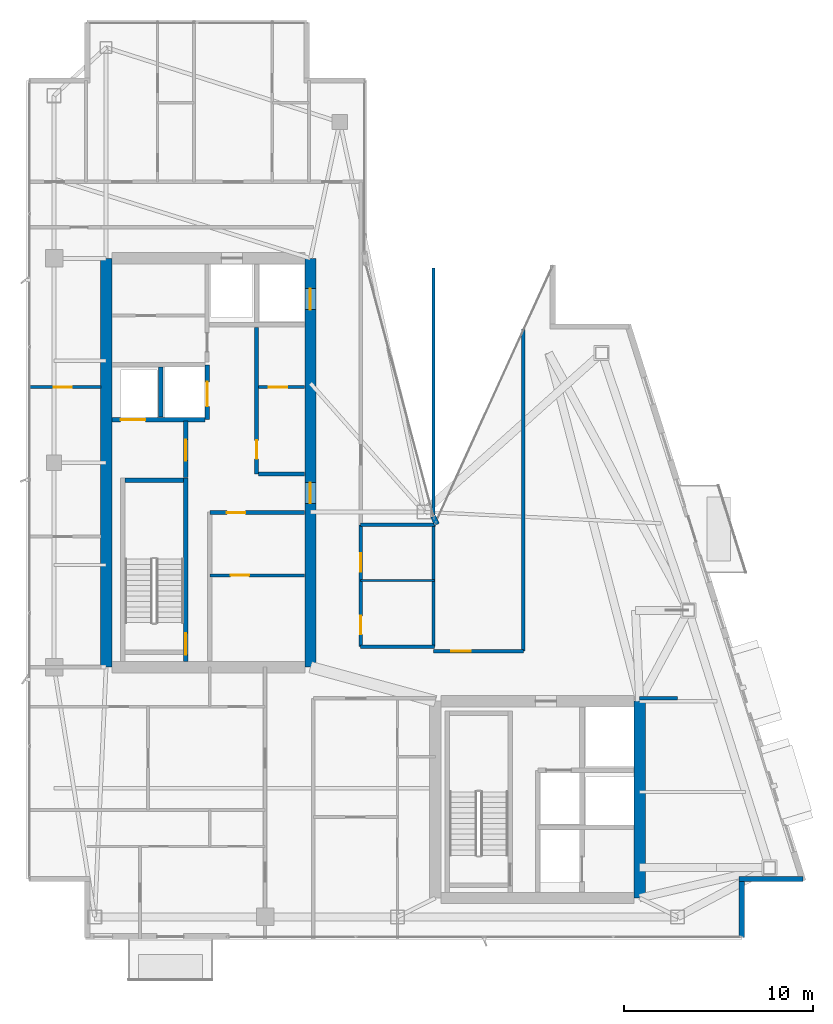
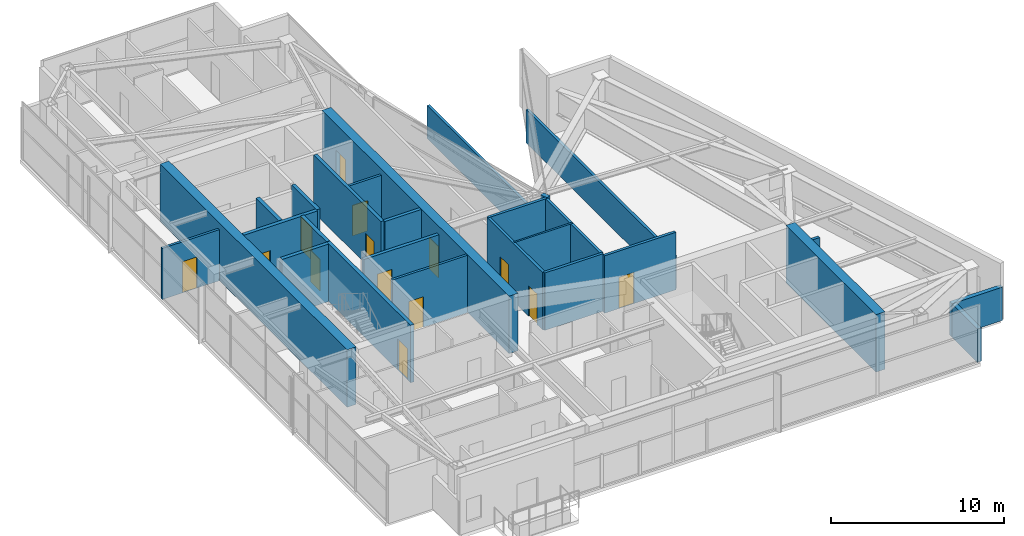
# One storey, part 22 of 26: 27 walls, 14 doors, 14 openings.
"""IFC4 building model written with IfcOpenShell, lengths in metres."""

from ifc_helpers import new_model, si_unit, direction, frame, frame_2d, origin, place, context, subcontext, project, spatial, rectangle, extrude, material, layer, layer_set, type_object, element, fill, save


model = new_model("IFC4")

# Units and contexts
model_context = context("Model", 3, precision=1e-05, world=origin(), true_north=direction((0.0, 1.0)))
body_context = subcontext(model_context, "Body", "Model", "MODEL_VIEW")
ifc_project = project(units=[si_unit("LENGTHUNIT", "METRE"), si_unit("AREAUNIT", "SQUARE_METRE"), si_unit("VOLUMEUNIT", "CUBIC_METRE"), si_unit("PLANEANGLEUNIT", "RADIAN"), si_unit("MASSUNIT", "GRAM", prefix="KILO")], contexts=[model_context])

# Site, building, storey
site_placement = place(None, origin())
site = spatial("IfcSite", under=ifc_project, at=site_placement, CompositionType="ELEMENT")
building_placement = place(site_placement, origin())
building = spatial("IfcBuilding", under=site, at=building_placement, Name="Calvorn Quay Hotel", CompositionType="ELEMENT")
storey_placement = place(building_placement, frame((0.0, 0.0, 302.5)))
storey = spatial("IfcBuildingStorey", under=building, at=storey_placement, Name="L75", CompositionType="ELEMENT", Elevation=302.5)

# Wall
ifc_material_1 = material(Name="Concrete C45", Category="concrete")
ifc_layer_1 = layer(ifc_material_1, 0.60009765625)
ifc_layer_set_1 = layer_set([ifc_layer_1], Name="WL-CORE-600")
wall_type_1 = type_object("IfcWallType", Name="WL-CORE-600", PredefinedType="SHEAR", material=ifc_layer_set_1)
wall_1_placement = place(storey_placement, frame((4.199951171875, 16.800048828125, 0.0), z_axis=(0.0, 0.0, 1.0), x_axis=(0.0, 1.0, 0.0)))
element("IfcWall", 1, at=wall_1_placement, inside=storey, type_object=wall_type_1, Name="West Core Shear Wall W (L75)", PredefinedType="SHEAR", context=body_context, shape_type="SweptSolid", body=[
    extrude(rectangle(XDim=21.599853515625, YDim=0.60009765625, at=frame_2d((10.7998046875, 0.0))), origin(), (0.0, 0.0, 1.0), 4.050048828125),
])

# Wall, openings, doors
wall_2_placement = place(storey_placement, frame((15.0, 16.800048828125, 0.0), z_axis=(0.0, 0.0, 1.0), x_axis=(0.0, 1.0, 0.0)))
wall_2 = element("IfcWall", 2, at=wall_2_placement, inside=storey, type_object=wall_type_1, Name="West Core Shear Wall E (L75)", PredefinedType="SHEAR", context=body_context, shape_type="SweptSolid", body=[
    extrude(rectangle(XDim=21.599853515625, YDim=0.60009765625, at=frame_2d((10.7998046875, 0.0))), origin(), (0.0, 0.0, 1.0), 4.050048828125),
])
opening_1_placement = place(wall_2_placement, frame((8.64990234375, 0.0, 0.0)))
opening_1 = element("IfcOpeningElement", 3, at=opening_1_placement, cuts=wall_2, Name="Opening D-L75-CW1", PredefinedType="OPENING", context=body_context, shape_type="SweptSolid", body=[
    extrude(rectangle(XDim=1.10009765625, YDim=2.199951171875, at=frame_2d((0.550048828125, 1.10009765625))), frame((0.0, 0.31005859375, 0.0), z_axis=(0.0, -1.0, 0.0), x_axis=(1.0, 0.0, 0.0)), (0.0, 0.0, 1.0), 0.6201171875),
])
opening_2_placement = place(wall_2_placement, frame((18.89990234375, 0.0, 0.0)))
opening_2 = element("IfcOpeningElement", 4, at=opening_2_placement, cuts=wall_2, Name="Opening LD-L75-H1", PredefinedType="OPENING", context=body_context, shape_type="SweptSolid", body=[
    extrude(rectangle(XDim=1.10009765625, YDim=2.199951171875, at=frame_2d((0.550048828125, 1.10009765625))), frame((0.0, 0.31005859375, 0.0), z_axis=(0.0, -1.0, 0.0), x_axis=(1.0, 0.0, 0.0)), (0.0, 0.0, 1.0), 0.6201171875),
])
ifc_material_2 = material(Name="Smoke-Sealed Steel Class A Fire Door", Category="steel")
door_type_1 = type_object("IfcDoorType", Name="DR-FFLOBBY-1100", OperationType="NOTDEFINED", PredefinedType="DOOR", material=ifc_material_2)
door_1_placement = place(opening_1_placement, origin())
door_1 = element("IfcDoor", 5, at=door_1_placement, inside=storey, type_object=door_type_1, Name="West Core Vestibule Fire Door (L75)", OperationType="SINGLE_SWING_RIGHT", OverallHeight=2.199951171875, OverallWidth=1.10009765625, PredefinedType="DOOR", context=body_context, shape_type="SweptSolid", body=[
    extrude(rectangle(XDim=1.10009765625, YDim=2.199951171875, at=frame_2d((0.550048828125, 1.10009765625))), frame((0.0, 0.02490234375, 0.0), z_axis=(0.0, -1.0, 0.0), x_axis=(1.0, 0.0, 0.0)), (0.0, 0.0, 1.0), 0.050048828125),
])
fill(opening_1, door_1)
ifc_material_3 = material(Name="Brushed Stainless Steel Sliding Lift Landing Door", Category="steel")
door_type_2 = type_object("IfcDoorType", Name="DR-LIFT-PASS-1100", OperationType="NOTDEFINED", PredefinedType="DOOR", material=ifc_material_3)
door_2_placement = place(opening_2_placement, origin())
door_2 = element("IfcDoor", 6, at=door_2_placement, inside=storey, type_object=door_type_2, Name="High-Rise Lift PL-H1 Landing Door (L75)", OperationType="DOUBLE_DOOR_SLIDING", OverallHeight=2.199951171875, OverallWidth=1.10009765625, PredefinedType="DOOR", context=body_context, shape_type="SweptSolid", body=[
    extrude(rectangle(XDim=1.10009765625, YDim=2.199951171875, at=frame_2d((0.550048828125, 1.10009765625))), frame((0.0, 0.02490234375, 0.0), z_axis=(0.0, -1.0, 0.0), x_axis=(1.0, 0.0, 0.0)), (0.0, 0.0, 1.0), 0.050048828125),
])
fill(opening_2, door_2)

# Walls
wall_3_placement = place(storey_placement, frame((32.39990234375, 4.60009765625, 0.0), z_axis=(0.0, 0.0, 1.0), x_axis=(0.0, 1.0, 0.0)))
element("IfcWall", 7, at=wall_3_placement, inside=storey, type_object=wall_type_1, Name="East Core Shear Wall E (L75)", PredefinedType="SHEAR", context=body_context, shape_type="SweptSolid", body=[
    extrude(rectangle(XDim=10.39990234375, YDim=0.60009765625, at=frame_2d((5.199951171875, 0.0))), origin(), (0.0, 0.0, 1.0), 4.050048828125),
])
ifc_material_4 = material(Name="Acoustic Fireboard Steel-Stud Partition", Category="steel")
ifc_layer_2 = layer(ifc_material_4, 0.179931640625)
ifc_layer_set_2 = layer_set([ifc_layer_2], Name="WL-CORR-FIRE-180")
wall_type_2 = type_object("IfcWallType", Name="WL-CORR-FIRE-180", PredefinedType="PARTITIONING", material=ifc_layer_set_2)
wall_4_placement = place(storey_placement, frame((17.64990234375, 17.8798828125, 0.0), z_axis=(0.0, 0.0, 1.0), x_axis=(1.0, 0.0, 0.0)))
element("IfcWall", 8, at=wall_4_placement, inside=storey, type_object=wall_type_2, Name="Partition Wall L75-WL-HK-S", PredefinedType="PARTITIONING", context=body_context, shape_type="SweptSolid", body=[
    extrude(rectangle(XDim=3.900146484375, YDim=0.179931640625, at=frame_2d((1.9501953125, 0.0))), origin(), (0.0, 0.0, 1.0), 4.050048828125),
])
wall_5_placement = place(storey_placement, frame((17.64990234375, 24.320068359375, 0.0), z_axis=(0.0, 0.0, 1.0), x_axis=(1.0, 0.0, 0.0)))
element("IfcWall", 9, at=wall_5_placement, inside=storey, type_object=wall_type_2, Name="Partition Wall L75-WL-HK-N", PredefinedType="PARTITIONING", context=body_context, shape_type="SweptSolid", body=[
    extrude(rectangle(XDim=3.9501953125, YDim=0.179931640625, at=frame_2d((1.97509765625, 0.0))), origin(), (0.0, 0.0, 1.0), 4.050048828125),
])
wall_6_placement = place(storey_placement, frame((21.5, 17.8798828125, 0.0), z_axis=(0.0, 0.0, 1.0), x_axis=(0.0, 1.0, 0.0)))
element("IfcWall", 10, at=wall_6_placement, inside=storey, type_object=wall_type_2, Name="Partition Wall L75-WL-HK-E", PredefinedType="PARTITIONING", context=body_context, shape_type="SweptSolid", body=[
    extrude(rectangle(XDim=6.440185546875, YDim=0.179931640625, at=frame_2d((3.22021484375, 0.0))), origin(), (0.0, 0.0, 1.0), 4.050048828125),
])

# Wall, openings, doors
wall_7_placement = place(storey_placement, frame((17.64990234375, 17.8798828125, 0.0), z_axis=(0.0, 0.0, 1.0), x_axis=(0.0, 1.0, 0.0)))
wall_7 = element("IfcWall", 11, at=wall_7_placement, inside=storey, type_object=wall_type_2, Name="Partition Wall L75-WL-HK-W", PredefinedType="PARTITIONING", context=body_context, shape_type="SweptSolid", body=[
    extrude(rectangle(XDim=6.440185546875, YDim=0.179931640625, at=frame_2d((3.22021484375, 0.0))), origin(), (0.0, 0.0, 1.0), 4.050048828125),
])
opening_3_placement = place(wall_7_placement, frame((0.64990234375, 0.0, 0.0)))
opening_3 = element("IfcOpeningElement", 12, at=opening_3_placement, cuts=wall_7, Name="Opening D-L75-HK", PredefinedType="OPENING", context=body_context, shape_type="SweptSolid", body=[
    extrude(rectangle(XDim=0.97998046875, YDim=2.14990234375, at=frame_2d((0.489990234375, 1.074951171875))), frame((0.0, 0.099853515625, 0.0), z_axis=(0.0, -1.0, 0.0), x_axis=(1.0, 0.0, 0.0)), (0.0, 0.0, 1.0), 0.199951171875),
])
opening_4_placement = place(wall_7_placement, frame((3.969970703125, 0.0, 0.0)))
opening_4 = element("IfcOpeningElement", 13, at=opening_4_placement, cuts=wall_7, Name="Opening D-L75-NCP", PredefinedType="OPENING", context=body_context, shape_type="SweptSolid", body=[
    extrude(rectangle(XDim=0.9599609375, YDim=2.199951171875, at=frame_2d((0.47998046875, 1.10009765625))), frame((0.0, 0.099853515625, 0.0), z_axis=(0.0, -1.0, 0.0), x_axis=(1.0, 0.0, 0.0)), (0.0, 0.0, 1.0), 0.199951171875),
])
ifc_material_5 = material(Name="Painted Steel Housekeeping/Riser Fire Door", Category="steel")
door_type_3 = type_object("IfcDoorType", Name="DR-SERVICE-980", OperationType="NOTDEFINED", PredefinedType="DOOR", material=ifc_material_5)
door_3_placement = place(opening_3_placement, origin())
door_3 = element("IfcDoor", 14, at=door_3_placement, inside=storey, type_object=door_type_3, Name="Floor Housekeeping Door (L75)", OperationType="SINGLE_SWING_LEFT", OverallHeight=2.14990234375, OverallWidth=0.97998046875, PredefinedType="DOOR", context=body_context, shape_type="SweptSolid", body=[
    extrude(rectangle(XDim=0.97998046875, YDim=2.14990234375, at=frame_2d((0.489990234375, 1.074951171875))), frame((0.0, 0.02490234375, 0.0), z_axis=(0.0, -1.0, 0.0), x_axis=(1.0, 0.0, 0.0)), (0.0, 0.0, 1.0), 0.050048828125),
])
fill(opening_3, door_3)
ifc_material_6 = material(Name="Solid Timber Internal Suite Door", Category="wood")
door_type_4 = type_object("IfcDoorType", Name="DR-SUITE-INT-960", OperationType="NOTDEFINED", PredefinedType="DOOR", material=ifc_material_6)
door_4_placement = place(opening_4_placement, origin())
door_4 = element("IfcDoor", 15, at=door_4_placement, inside=storey, type_object=door_type_4, Name="Reading Alcove Door (L75)", OperationType="SINGLE_SWING_RIGHT", OverallHeight=2.199951171875, OverallWidth=0.9599609375, PredefinedType="DOOR", context=body_context, shape_type="SweptSolid", body=[
    extrude(rectangle(XDim=0.9599609375, YDim=2.199951171875, at=frame_2d((0.47998046875, 1.10009765625))), frame((0.0, 0.02490234375, 0.0), z_axis=(0.0, -1.0, 0.0), x_axis=(1.0, 0.0, 0.0)), (0.0, 0.0, 1.0), 0.050048828125),
])
fill(opening_4, door_4)

# Wall
wall_8_placement = place(storey_placement, frame((32.39990234375, 15.14990234375, 0.0), z_axis=(0.0, 0.0, 1.0), x_axis=(1.0, 0.0, 0.0)))
element("IfcWall", 16, at=wall_8_placement, inside=storey, type_object=wall_type_2, Name="Partition Wall L75-WL-CORR-SE-S", PredefinedType="PARTITIONING", context=body_context, shape_type="SweptSolid", body=[
    extrude(rectangle(XDim=2.0, YDim=0.179931640625, at=frame_2d((1.0, 0.0))), origin(), (0.0, 0.0, 1.0), 2.35009765625),
])

# Wall, opening, door
wall_9_placement = place(storey_placement, frame((21.5, 17.64990234375, 0.0), z_axis=(0.0, 0.0, 1.0), x_axis=(1.0, 0.0, 0.0)))
wall_9 = element("IfcWall", 17, at=wall_9_placement, inside=storey, type_object=wall_type_2, Name="Partition Wall L75-WL-CORR-NE-N", PredefinedType="PARTITIONING", context=body_context, shape_type="SweptSolid", body=[
    extrude(rectangle(XDim=4.75, YDim=0.179931640625, at=frame_2d((2.375, 0.0))), origin(), (0.0, 0.0, 1.0), 4.050048828125),
])
opening_5_placement = place(wall_9_placement, frame((0.949951171875, 0.0, 0.0)))
opening_5 = element("IfcOpeningElement", 18, at=opening_5_placement, cuts=wall_9, Name="Opening D-L75-NS1", PredefinedType="OPENING", context=body_context, shape_type="SweptSolid", body=[
    extrude(rectangle(XDim=1.02001953125, YDim=2.199951171875, at=frame_2d((0.510009765625, 1.10009765625))), frame((0.0, 0.099853515625, 0.0), z_axis=(0.0, -1.0, 0.0), x_axis=(1.0, 0.0, 0.0)), (0.0, 0.0, 1.0), 0.199951171875),
])
ifc_material_7 = material(Name="Solid-Core Walnut Veneer Hotel Fire Door")
door_type_5 = type_object("IfcDoorType", Name="DR-GUEST-ENTRY-1020", OperationType="NOTDEFINED", PredefinedType="DOOR", material=ifc_material_7)
door_5_placement = place(opening_5_placement, origin())
door_5 = element("IfcDoor", 19, at=door_5_placement, inside=storey, type_object=door_type_5, Name="Conservatory Salon Door 1 (L75)", OperationType="SINGLE_SWING_RIGHT", OverallHeight=2.199951171875, OverallWidth=1.02001953125, PredefinedType="DOOR", context=body_context, shape_type="SweptSolid", body=[
    extrude(rectangle(XDim=1.02001953125, YDim=2.199951171875, at=frame_2d((0.510009765625, 1.10009765625))), frame((0.0, 0.02490234375, 0.0), z_axis=(0.0, -1.0, 0.0), x_axis=(1.0, 0.0, 0.0)), (0.0, 0.0, 1.0), 0.050048828125),
])
fill(opening_5, door_5)

# Walls
wall_10_placement = place(storey_placement, frame((26.25, 17.64990234375, 0.0), z_axis=(0.0, 0.0, 1.0), x_axis=(0.0, 1.0, 0.0)))
element("IfcWall", 20, at=wall_10_placement, inside=storey, type_object=wall_type_2, Name="Partition Wall L75-WL-NE-END-E", PredefinedType="PARTITIONING", context=body_context, shape_type="SweptSolid", body=[
    extrude(rectangle(XDim=17.030029296875, YDim=0.179931640625, at=frame_2d((8.51513671875, 0.0))), origin(), (0.0, 0.0, 1.0), 2.35009765625),
])
ifc_material_8 = material(Name="Moisture-Resistant Tile-Backed Partition")
ifc_layer_3 = layer(ifc_material_8, 0.125)
ifc_layer_set_3 = layer_set([ifc_layer_3], Name="WL-ENSUITE-125")
wall_type_3 = type_object("IfcWallType", Name="WL-ENSUITE-125", PredefinedType="PARTITIONING", material=ifc_layer_set_3)
wall_11_placement = place(storey_placement, frame((17.64990234375, 21.3798828125, 0.0), z_axis=(0.0, 0.0, 1.0), x_axis=(1.0, 0.0, 0.0)))
element("IfcWall", 21, at=wall_11_placement, inside=storey, type_object=wall_type_3, Name="Partition Wall L75-WL-HK-M", PredefinedType="PARTITIONING", context=body_context, shape_type="SweptSolid", body=[
    extrude(rectangle(XDim=3.900146484375, YDim=0.125, at=frame_2d((1.9501953125, 0.0))), origin(), (0.0, 0.0, 1.0), 4.050048828125),
])
ifc_material_9 = material(Name="Concrete C40", Category="concrete")
ifc_layer_4 = layer(ifc_material_9, 0.320068359375)
ifc_layer_set_4 = layer_set([ifc_layer_4], Name="WL-EXT-SPANDREL-320")
wall_type_4 = type_object("IfcWallType", Name="WL-EXT-SPANDREL-320", PredefinedType="SOLIDWALL", material=ifc_layer_set_4)
wall_12_placement = place(storey_placement, frame((21.679931640625, 24.340087890625, 0.0), z_axis=(0.0, 0.0, 1.0), x_axis=(-0.40758134973, 0.913168901875, 0.0)))
element("IfcWall", 22, at=wall_12_placement, inside=storey, type_object=wall_type_4, Name="Inner Court Corner Pier L75-ICJ1", PredefinedType="SOLIDWALL", context=body_context, shape_type="SweptSolid", body=[
    extrude(rectangle(XDim=0.470703125, YDim=0.280029296875, at=frame_2d((0.2353515625, 0.0))), origin(), (0.0, 0.0, 1.0), 4.050048828125),
])
wall_13_placement = place(storey_placement, frame((37.800048828125, 2.52001953125, 0.0), z_axis=(0.0, 0.0, 1.0), x_axis=(0.0, 1.0, 0.0)))
element("IfcWall", 23, at=wall_13_placement, inside=storey, type_object=wall_type_4, Name="Notched Corner Spandrel L75-SE1", PredefinedType="SOLIDWALL", context=body_context, shape_type="SweptSolid", body=[
    extrude(rectangle(XDim=2.93994140625, YDim=0.280029296875, at=frame_2d((1.469970703125, 0.0))), origin(), (0.0, 0.0, 1.0), 2.35009765625),
])
wall_14_placement = place(storey_placement, frame((37.659912109375, 5.60009765625, 0.0), z_axis=(0.0, 0.0, 1.0), x_axis=(1.0, 0.0, 0.0)))
element("IfcWall", 24, at=wall_14_placement, inside=storey, type_object=wall_type_4, Name="Notched Corner Spandrel L75-SE2", PredefinedType="SOLIDWALL", context=body_context, shape_type="SweptSolid", body=[
    extrude(rectangle(XDim=3.380126953125, YDim=0.280029296875, at=frame_2d((1.68994140625, 0.0))), origin(), (0.0, 0.0, 1.0), 2.35009765625),
])

# Wall, opening, door
ifc_material_10 = material(Name="Double-Stud Acoustic Gypsum Partition")
ifc_layer_5 = layer(ifc_material_10, 0.159912109375)
ifc_layer_set_5 = layer_set([ifc_layer_5], Name="WL-INTERSUITE-160")
wall_type_5 = type_object("IfcWallType", Name="WL-INTERSUITE-160", PredefinedType="PARTITIONING", material=ifc_layer_set_5)
wall_15_placement = place(storey_placement, frame((9.679931640625, 21.64990234375, 0.0), z_axis=(0.0, 0.0, 1.0), x_axis=(1.0, 0.0, 0.0)))
wall_15 = element("IfcWall", 25, at=wall_15_placement, inside=storey, type_object=wall_type_5, Name="Partition Wall L75-WL-CWW-FR-SPLIT", PredefinedType="PARTITIONING", context=body_context, shape_type="SweptSolid", body=[
    extrude(rectangle(XDim=5.0, YDim=0.159912109375, at=frame_2d((2.5, 0.0))), origin(), (0.0, 0.0, 1.0), 4.050048828125),
])
opening_6_placement = place(wall_15_placement, frame((1.10009765625, 0.0, 0.0)))
opening_6 = element("IfcOpeningElement", 26, at=opening_6_placement, cuts=wall_15, Name="Opening D-L75-FRL1", PredefinedType="OPENING", context=body_context, shape_type="SweptSolid", body=[
    extrude(rectangle(XDim=0.97998046875, YDim=2.14990234375, at=frame_2d((0.489990234375, 1.074951171875))), frame((0.0, 0.08984375, 0.0), z_axis=(0.0, -1.0, 0.0), x_axis=(1.0, 0.0, 0.0)), (0.0, 0.0, 1.0), 0.179931640625),
])
door_6_placement = place(opening_6_placement, origin())
door_6 = element("IfcDoor", 27, at=door_6_placement, inside=storey, type_object=door_type_3, Name="Linen Store Room Door (L75)", OperationType="SINGLE_SWING_LEFT", OverallHeight=2.14990234375, OverallWidth=0.97998046875, PredefinedType="DOOR", context=body_context, shape_type="SweptSolid", body=[
    extrude(rectangle(XDim=0.97998046875, YDim=2.14990234375, at=frame_2d((0.489990234375, 1.074951171875))), frame((0.0, 0.02490234375, 0.0), z_axis=(0.0, -1.0, 0.0), x_axis=(1.0, 0.0, 0.0)), (0.0, 0.0, 1.0), 0.050048828125),
])
fill(opening_6, door_6)

wall_16_placement = place(storey_placement, frame((12.25, 31.60009765625, 0.0), z_axis=(0.0, 0.0, 1.0), x_axis=(1.0, 0.0, 0.0)))
wall_16 = element("IfcWall", 28, at=wall_16_placement, inside=storey, type_object=wall_type_5, Name="Partition Wall L75-WL-CWW-FM-SPLIT", PredefinedType="PARTITIONING", context=body_context, shape_type="SweptSolid", body=[
    extrude(rectangle(XDim=2.429931640625, YDim=0.159912109375, at=frame_2d((1.21484375, 0.0))), origin(), (0.0, 0.0, 1.0), 3.64990234375),
])
opening_7_placement = place(wall_16_placement, frame((0.550048828125, 0.0, 0.0)))
opening_7 = element("IfcOpeningElement", 29, at=opening_7_placement, cuts=wall_16, Name="Opening D-L75-FM2", PredefinedType="OPENING", context=body_context, shape_type="SweptSolid", body=[
    extrude(rectangle(XDim=0.97998046875, YDim=2.14990234375, at=frame_2d((0.489990234375, 1.074951171875))), frame((0.0, 0.08984375, 0.0), z_axis=(0.0, -1.0, 0.0), x_axis=(1.0, 0.0, 0.0)), (0.0, 0.0, 1.0), 0.179931640625),
])
door_7_placement = place(opening_7_placement, origin())
door_7 = element("IfcDoor", 30, at=door_7_placement, inside=storey, type_object=door_type_3, Name="Comms Room Door (L75)", OperationType="SINGLE_SWING_LEFT", OverallHeight=2.14990234375, OverallWidth=0.97998046875, PredefinedType="DOOR", context=body_context, shape_type="SweptSolid", body=[
    extrude(rectangle(XDim=0.97998046875, YDim=2.14990234375, at=frame_2d((0.489990234375, 1.074951171875))), frame((0.0, 0.02490234375, 0.0), z_axis=(0.0, -1.0, 0.0), x_axis=(1.0, 0.0, 0.0)), (0.0, 0.0, 1.0), 0.050048828125),
])
fill(opening_7, door_7)

wall_17_placement = place(storey_placement, frame((0.080078125, 31.60009765625, 0.0), z_axis=(0.0, 0.0, 1.0), x_axis=(1.0, 0.0, 0.0)))
wall_17 = element("IfcWall", 31, at=wall_17_placement, inside=storey, type_object=wall_type_5, Name="Partition Wall L75-WL-WBAY-DIVB", PredefinedType="PARTITIONING", context=body_context, shape_type="SweptSolid", body=[
    extrude(rectangle(XDim=3.849853515625, YDim=0.159912109375, at=frame_2d((1.9248046875, 0.0))), origin(), (0.0, 0.0, 1.0), 3.60009765625),
])
opening_8_placement = place(wall_17_placement, frame((1.35009765625, 0.0, 0.0)))
opening_8 = element("IfcOpeningElement", 32, at=opening_8_placement, cuts=wall_17, Name="Opening D-L75-WBB", PredefinedType="OPENING", context=body_context, shape_type="SweptSolid", body=[
    extrude(rectangle(XDim=0.9599609375, YDim=2.199951171875, at=frame_2d((0.47998046875, 1.10009765625))), frame((0.0, 0.08984375, 0.0), z_axis=(0.0, -1.0, 0.0), x_axis=(1.0, 0.0, 0.0)), (0.0, 0.0, 1.0), 0.179931640625),
])
door_8_placement = place(opening_8_placement, origin())
door_8 = element("IfcDoor", 33, at=door_8_placement, inside=storey, type_object=door_type_4, Name="West North Connecting Door (L75)", OperationType="SINGLE_SWING_RIGHT", OverallHeight=2.199951171875, OverallWidth=0.9599609375, PredefinedType="DOOR", context=body_context, shape_type="SweptSolid", body=[
    extrude(rectangle(XDim=0.9599609375, YDim=2.199951171875, at=frame_2d((0.47998046875, 1.10009765625))), frame((0.0, 0.02490234375, 0.0), z_axis=(0.0, -1.0, 0.0), x_axis=(1.0, 0.0, 0.0)), (0.0, 0.0, 1.0), 0.050048828125),
])
fill(opening_8, door_8)

# Wall
wall_18_placement = place(storey_placement, frame((21.5, 24.85009765625, 0.0), z_axis=(0.0, 0.0, 1.0), x_axis=(0.0, 1.0, 0.0)))
element("IfcWall", 34, at=wall_18_placement, inside=storey, type_object=wall_type_5, Name="Partition Wall L75-WL-NC-UPPER-E", PredefinedType="PARTITIONING", context=body_context, shape_type="SweptSolid", body=[
    extrude(rectangle(XDim=13.0498046875, YDim=0.159912109375, at=frame_2d((6.52490234375, 0.0))), origin(), (0.0, 0.0, 1.0), 2.35009765625),
])

# Wall, opening, door
ifc_material_11 = material(Name="Autoclaved Aerated Masonry Block", Category="masonry")
ifc_layer_6 = layer(ifc_material_11, 0.219970703125)
ifc_layer_set_6 = layer_set([ifc_layer_6], Name="WL-LOBBY-FIRE-220")
wall_type_6 = type_object("IfcWallType", Name="WL-LOBBY-FIRE-220", PredefinedType="SOLIDWALL", material=ifc_layer_set_6)
wall_19_placement = place(storey_placement, frame((9.679931640625, 24.969970703125, 0.0), z_axis=(0.0, 0.0, 1.0), x_axis=(1.0, 0.0, 0.0)))
wall_19 = element("IfcWall", 35, at=wall_19_placement, inside=storey, type_object=wall_type_6, Name="Partition Wall L75-WL-CWW-FR-N", PredefinedType="SOLIDWALL", context=body_context, shape_type="SweptSolid", body=[
    extrude(rectangle(XDim=5.0, YDim=0.219970703125, at=frame_2d((2.5, 0.0))), origin(), (0.0, 0.0, 1.0), 3.5),
])
opening_9_placement = place(wall_19_placement, frame((0.89990234375, 0.0, 0.0)))
opening_9 = element("IfcOpeningElement", 36, at=opening_9_placement, cuts=wall_19, Name="Opening D-L75-FRL2", PredefinedType="OPENING", context=body_context, shape_type="SweptSolid", body=[
    extrude(rectangle(XDim=0.97998046875, YDim=2.14990234375, at=frame_2d((0.489990234375, 1.074951171875))), frame((0.0, 0.119873046875, 0.0), z_axis=(0.0, -1.0, 0.0), x_axis=(1.0, 0.0, 0.0)), (0.0, 0.0, 1.0), 0.239990234375),
])
door_9_placement = place(opening_9_placement, origin())
door_9 = element("IfcDoor", 37, at=door_9_placement, inside=storey, type_object=door_type_3, Name="Beverage Pantry Door (L75)", OperationType="SINGLE_SWING_RIGHT", OverallHeight=2.14990234375, OverallWidth=0.97998046875, PredefinedType="DOOR", context=body_context, shape_type="SweptSolid", body=[
    extrude(rectangle(XDim=0.97998046875, YDim=2.14990234375, at=frame_2d((0.489990234375, 1.074951171875))), frame((0.0, 0.02490234375, 0.0), z_axis=(0.0, -1.0, 0.0), x_axis=(1.0, 0.0, 0.0)), (0.0, 0.0, 1.0), 0.050048828125),
])
fill(opening_9, door_9)

# Wall
wall_20_placement = place(storey_placement, frame((12.25, 27.0, 0.0), z_axis=(0.0, 0.0, 1.0), x_axis=(1.0, 0.0, 0.0)))
element("IfcWall", 38, at=wall_20_placement, inside=storey, type_object=wall_type_6, Name="Partition Wall L75-WL-CWW-FM-S", PredefinedType="SOLIDWALL", context=body_context, shape_type="SweptSolid", body=[
    extrude(rectangle(XDim=2.429931640625, YDim=0.219970703125, at=frame_2d((1.21484375, 0.0))), origin(), (0.0, 0.0, 1.0), 4.050048828125),
])

# Wall, opening, door
wall_21_placement = place(storey_placement, frame((12.14990234375, 27.0, 0.0), z_axis=(0.0, 0.0, 1.0), x_axis=(0.0, 1.0, 0.0)))
wall_21 = element("IfcWall", 39, at=wall_21_placement, inside=storey, type_object=wall_type_6, Name="Partition Wall L75-WL-CWW-FM-W", PredefinedType="SOLIDWALL", context=body_context, shape_type="SweptSolid", body=[
    extrude(rectangle(XDim=7.75, YDim=0.219970703125, at=frame_2d((3.875, 0.0))), origin(), (0.0, 0.0, 1.0), 4.050048828125),
])
opening_10_placement = place(wall_21_placement, frame((0.800048828125, 0.0, 0.0)))
opening_10 = element("IfcOpeningElement", 40, at=opening_10_placement, cuts=wall_21, Name="Opening D-L75-FM1", PredefinedType="OPENING", context=body_context, shape_type="SweptSolid", body=[
    extrude(rectangle(XDim=0.97998046875, YDim=2.14990234375, at=frame_2d((0.489990234375, 1.074951171875))), frame((0.0, 0.119873046875, 0.0), z_axis=(0.0, -1.0, 0.0), x_axis=(1.0, 0.0, 0.0)), (0.0, 0.0, 1.0), 0.239990234375),
])
door_10_placement = place(opening_10_placement, origin())
door_10 = element("IfcDoor", 41, at=door_10_placement, inside=storey, type_object=door_type_3, Name="Butler Pantry Door (L75)", OperationType="SINGLE_SWING_RIGHT", OverallHeight=2.14990234375, OverallWidth=0.97998046875, PredefinedType="DOOR", context=body_context, shape_type="SweptSolid", body=[
    extrude(rectangle(XDim=0.97998046875, YDim=2.14990234375, at=frame_2d((0.489990234375, 1.074951171875))), frame((0.0, 0.02490234375, 0.0), z_axis=(0.0, -1.0, 0.0), x_axis=(1.0, 0.0, 0.0)), (0.0, 0.0, 1.0), 0.050048828125),
])
fill(opening_10, door_10)

ifc_material_12 = material(Name="Concrete C40", Category="concrete")
ifc_layer_7 = layer(ifc_material_12, 0.239990234375)
ifc_layer_set_7 = layer_set([ifc_layer_7], Name="WL-SHAFT-240")
wall_type_7 = type_object("IfcWallType", Name="WL-SHAFT-240", PredefinedType="SOLIDWALL", material=ifc_layer_set_7)
wall_22_placement = place(storey_placement, frame((8.419921875, 17.10009765625, 0.0), z_axis=(0.0, 0.0, 1.0), x_axis=(0.0, 1.0, 0.0)))
wall_22 = element("IfcWall", 42, at=wall_22_placement, inside=storey, type_object=wall_type_7, Name="Stair STW Shaft Wall E (L75)", PredefinedType="SOLIDWALL", context=body_context, shape_type="SweptSolid", body=[
    extrude(rectangle(XDim=9.68994140625, YDim=0.239990234375, at=frame_2d((4.844970703125, 0.0))), origin(), (0.0, 0.0, 1.0), 4.050048828125),
])
opening_11_placement = place(wall_22_placement, frame((0.35009765625, 0.0, 0.0)))
opening_11 = element("IfcOpeningElement", 43, at=opening_11_placement, cuts=wall_22, Name="Opening D-L75-STW", PredefinedType="OPENING", context=body_context, shape_type="SweptSolid", body=[
    extrude(rectangle(XDim=1.14990234375, YDim=2.199951171875, at=frame_2d((0.574951171875, 1.10009765625))), frame((0.0, 0.1298828125, 0.0), z_axis=(0.0, -1.0, 0.0), x_axis=(1.0, 0.0, 0.0)), (0.0, 0.0, 1.0), 0.260009765625),
])
ifc_material_13 = material(Name="Galvanised Steel Class A Fire Door", Category="steel")
door_type_6 = type_object("IfcDoorType", Name="DR-STAIR-SMOKE-1150", OperationType="NOTDEFINED", PredefinedType="DOOR", material=ifc_material_13)
door_11_placement = place(opening_11_placement, origin())
door_11 = element("IfcDoor", 44, at=door_11_placement, inside=storey, type_object=door_type_6, Name="Stair ST-W Fire Door (L75)", OperationType="SINGLE_SWING_LEFT", OverallHeight=2.199951171875, OverallWidth=1.14990234375, PredefinedType="DOOR", context=body_context, shape_type="SweptSolid", body=[
    extrude(rectangle(XDim=1.14990234375, YDim=2.199951171875, at=frame_2d((0.574951171875, 1.10009765625))), frame((0.0, 0.02490234375, 0.0), z_axis=(0.0, -1.0, 0.0), x_axis=(1.0, 0.0, 0.0)), (0.0, 0.0, 1.0), 0.050048828125),
])
fill(opening_11, door_11)

# Wall
wall_23_placement = place(storey_placement, frame((5.199951171875, 26.669921875, 0.0), z_axis=(0.0, 0.0, 1.0), x_axis=(1.0, 0.0, 0.0)))
element("IfcWall", 45, at=wall_23_placement, inside=storey, type_object=wall_type_7, Name="Stair STW Shaft Wall N (L75)", PredefinedType="SOLIDWALL", context=body_context, shape_type="SweptSolid", body=[
    extrude(rectangle(XDim=3.10009765625, YDim=0.239990234375, at=frame_2d((1.550048828125, 0.0))), origin(), (0.0, 0.0, 1.0), 4.050048828125),
])

# Wall, opening, door
wall_24_placement = place(storey_placement, frame((8.419921875, 26.820068359375, 0.0), z_axis=(0.0, 0.0, 1.0), x_axis=(0.0, 1.0, 0.0)))
wall_24 = element("IfcWall", 46, at=wall_24_placement, inside=storey, type_object=wall_type_7, Name="Partition Wall L75-WL-CWW-FFL-E", PredefinedType="SOLIDWALL", context=body_context, shape_type="SweptSolid", body=[
    extrude(rectangle(XDim=3.0, YDim=0.239990234375, at=frame_2d((1.5, 0.0))), origin(), (0.0, 0.0, 1.0), 4.050048828125),
])
opening_12_placement = place(wall_24_placement, frame((0.89990234375, 0.0, 0.0)))
opening_12 = element("IfcOpeningElement", 47, at=opening_12_placement, cuts=wall_24, Name="Opening D-L75-FLW", PredefinedType="OPENING", context=body_context, shape_type="SweptSolid", body=[
    extrude(rectangle(XDim=1.10009765625, YDim=2.199951171875, at=frame_2d((0.550048828125, 1.10009765625))), frame((0.0, 0.1298828125, 0.0), z_axis=(0.0, -1.0, 0.0), x_axis=(1.0, 0.0, 0.0)), (0.0, 0.0, 1.0), 0.260009765625),
])
door_12_placement = place(opening_12_placement, origin())
door_12 = element("IfcDoor", 48, at=door_12_placement, inside=storey, type_object=door_type_1, Name="West Firefighting Lobby Fire Door (L75)", OperationType="SINGLE_SWING_RIGHT", OverallHeight=2.199951171875, OverallWidth=1.10009765625, PredefinedType="DOOR", context=body_context, shape_type="SweptSolid", body=[
    extrude(rectangle(XDim=1.10009765625, YDim=2.199951171875, at=frame_2d((0.550048828125, 1.10009765625))), frame((0.0, 0.02490234375, 0.0), z_axis=(0.0, -1.0, 0.0), x_axis=(1.0, 0.0, 0.0)), (0.0, 0.0, 1.0), 0.050048828125),
])
fill(opening_12, door_12)

wall_25_placement = place(storey_placement, frame((4.52001953125, 29.8798828125, 0.0), z_axis=(0.0, 0.0, 1.0), x_axis=(1.0, 0.0, 0.0)))
wall_25 = element("IfcWall", 49, at=wall_25_placement, inside=storey, type_object=wall_type_7, Name="Partition Wall L75-WL-CWW-FLW-S", PredefinedType="SOLIDWALL", context=body_context, shape_type="SweptSolid", body=[
    extrude(rectangle(XDim=4.89990234375, YDim=0.239990234375, at=frame_2d((2.449951171875, 0.0))), origin(), (0.0, 0.0, 1.0), 4.050048828125),
])
opening_13_placement = place(wall_25_placement, frame((0.449951171875, 0.0, 0.0)))
opening_13 = element("IfcOpeningElement", 50, at=opening_13_placement, cuts=wall_25, Name="Opening LD-L75-FLW1", PredefinedType="OPENING", context=body_context, shape_type="SweptSolid", body=[
    extrude(rectangle(XDim=1.300048828125, YDim=2.35009765625, at=frame_2d((0.64990234375, 1.175048828125))), frame((0.0, 0.1298828125, 0.0), z_axis=(0.0, -1.0, 0.0), x_axis=(1.0, 0.0, 0.0)), (0.0, 0.0, 1.0), 0.260009765625),
])
ifc_material_14 = material(Name="Champagne-Bronze Sliding Express Lift Landing Door")
door_type_7 = type_object("IfcDoorType", Name="DR-LIFT-SHUTTLE-1300", OperationType="NOTDEFINED", PredefinedType="DOOR", material=ifc_material_14)
door_13_placement = place(opening_13_placement, origin())
door_13 = element("IfcDoor", 51, at=door_13_placement, inside=storey, type_object=door_type_7, Name="Firefighting Lift FL-W1 Landing Door (L75)", OperationType="DOUBLE_DOOR_SLIDING", OverallHeight=2.35009765625, OverallWidth=1.300048828125, PredefinedType="DOOR", context=body_context, shape_type="SweptSolid", body=[
    extrude(rectangle(XDim=1.300048828125, YDim=2.35009765625, at=frame_2d((0.64990234375, 1.175048828125))), frame((0.0, 0.02490234375, 0.0), z_axis=(0.0, -1.0, 0.0), x_axis=(1.0, 0.0, 0.0)), (0.0, 0.0, 1.0), 0.050048828125),
])
fill(opening_13, door_13)

# Wall
wall_26_placement = place(storey_placement, frame((7.10009765625, 30.02001953125, 0.0), z_axis=(0.0, 0.0, 1.0), x_axis=(0.0, 1.0, 0.0)))
element("IfcWall", 52, at=wall_26_placement, inside=storey, type_object=wall_type_7, Name="Partition Wall L75-WL-CWW-FLW-DIV", PredefinedType="SOLIDWALL", context=body_context, shape_type="SweptSolid", body=[
    extrude(rectangle(XDim=2.6298828125, YDim=0.239990234375, at=frame_2d((1.31494140625, 0.0))), origin(), (0.0, 0.0, 1.0), 4.050048828125),
])

# Wall, opening, door
wall_27_placement = place(storey_placement, frame((9.5400390625, 29.8798828125, 0.0), z_axis=(0.0, 0.0, 1.0), x_axis=(0.0, 1.0, 0.0)))
wall_27 = element("IfcWall", 53, at=wall_27_placement, inside=storey, type_object=wall_type_7, Name="Partition Wall L75-WL-CWW-SLW-E", PredefinedType="SOLIDWALL", context=body_context, shape_type="SweptSolid", body=[
    extrude(rectangle(XDim=2.900146484375, YDim=0.239990234375, at=frame_2d((1.4501953125, 0.0))), origin(), (0.0, 0.0, 1.0), 4.050048828125),
])
opening_14_placement = place(wall_27_placement, frame((0.699951171875, 0.0, 0.0)))
opening_14 = element("IfcOpeningElement", 54, at=opening_14_placement, cuts=wall_27, Name="Opening LD-L75-SLW1", PredefinedType="OPENING", context=body_context, shape_type="SweptSolid", body=[
    extrude(rectangle(XDim=1.300048828125, YDim=2.35009765625, at=frame_2d((0.64990234375, 1.175048828125))), frame((0.0, 0.1298828125, 0.0), z_axis=(0.0, -1.0, 0.0), x_axis=(1.0, 0.0, 0.0)), (0.0, 0.0, 1.0), 0.260009765625),
])
door_14_placement = place(opening_14_placement, origin())
door_14 = element("IfcDoor", 55, at=door_14_placement, inside=storey, type_object=door_type_7, Name="Service Lift SL-W1 Landing Door (L75)", OperationType="DOUBLE_DOOR_SLIDING", OverallHeight=2.35009765625, OverallWidth=1.300048828125, PredefinedType="DOOR", context=body_context, shape_type="SweptSolid", body=[
    extrude(rectangle(XDim=1.300048828125, YDim=2.35009765625, at=frame_2d((0.64990234375, 1.175048828125))), frame((0.0, 0.02490234375, 0.0), z_axis=(0.0, -1.0, 0.0), x_axis=(1.0, 0.0, 0.0)), (0.0, 0.0, 1.0), 0.050048828125),
])
fill(opening_14, door_14)

save(model, "model.ifc")
